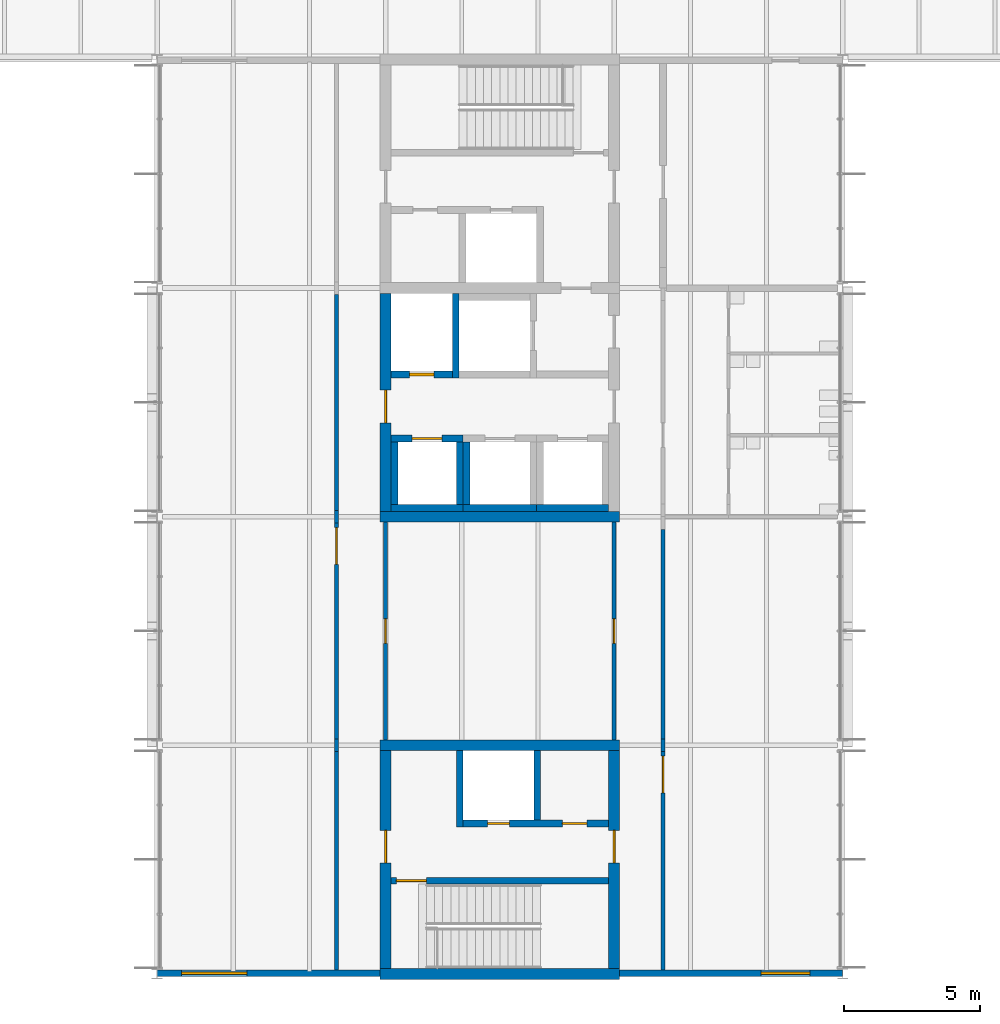
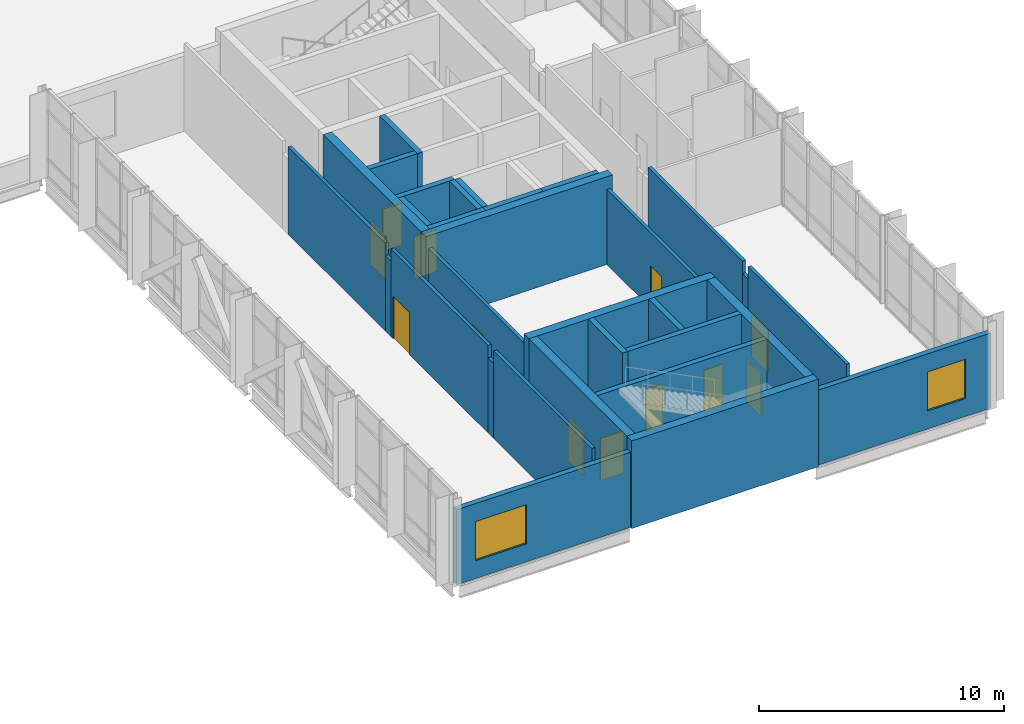
# One storey, part 16 of 26: 31 walls, 12 doors, 2 windows, 14 openings.
"""IFC4 building model written with IfcOpenShell, lengths in metres."""

from ifc_helpers import new_model, si_unit, direction, frame, frame_2d, origin, place, context, subcontext, project, spatial, rectangle, extrude, material, layer, layer_set, type_object, element, fill, save


model = new_model("IFC4")

# Units and contexts
model_context = context("Model", 3, precision=1e-05, world=origin(), true_north=direction((0.0, 1.0)))
body_context = subcontext(model_context, "Body", "Model", "MODEL_VIEW")
ifc_project = project(units=[si_unit("LENGTHUNIT", "METRE"), si_unit("AREAUNIT", "SQUARE_METRE"), si_unit("VOLUMEUNIT", "CUBIC_METRE"), si_unit("PLANEANGLEUNIT", "RADIAN"), si_unit("MASSUNIT", "GRAM", prefix="KILO")], contexts=[model_context])

# Site, building, storey
site_placement = place(None, origin())
site = spatial("IfcSite", under=ifc_project, at=site_placement, CompositionType="ELEMENT")
building_placement = place(site_placement, origin())
building = spatial("IfcBuilding", under=site, at=building_placement, Name="Hlaing Beacon Police Headquarters", CompositionType="ELEMENT")
storey_placement = place(building_placement, frame((0.0, 0.0, 23.39990234375)))
storey = spatial("IfcBuildingStorey", under=building, at=storey_placement, Name="L05", CompositionType="ELEMENT", Elevation=23.39990234375)

# Wall
ifc_material_1 = material(Name="Concrete C60/75", Category="concrete")
ifc_layer_1 = layer(ifc_material_1, 0.39990234375)
ifc_layer_set_1 = layer_set([ifc_layer_1], Name="Concrete C60/75")
wall_type_1 = type_object("IfcWallType", Name="Core shear wall 400", PredefinedType="SHEAR", material=ifc_layer_set_1)
wall_1_placement = place(storey_placement, frame((109.0, 50.39990234375, 0.0), z_axis=(0.0, 0.0, 1.0), x_axis=(1.0, 0.0, 0.0)))
element("IfcWall", 1, at=wall_1_placement, inside=storey, type_object=wall_type_1, Name="Core shear wall", PredefinedType="SHEAR", context=body_context, shape_type="SweptSolid", body=[
    extrude(rectangle(XDim=8.800048828125, YDim=0.39990234375, at=frame_2d((4.39990234375, 0.0))), origin(), (0.0, 0.0, 1.0), 4.3701171875),
])

# Wall, opening, door
wall_2_placement = place(storey_placement, frame((109.199951171875, 50.60009765625, 0.0), z_axis=(0.0, 0.0, 1.0), x_axis=(0.0, 1.0, 0.0)))
wall_2 = element("IfcWall", 2, at=wall_2_placement, inside=storey, type_object=wall_type_1, Name="Core shear wall", PredefinedType="SHEAR", context=body_context, shape_type="SweptSolid", body=[
    extrude(rectangle(XDim=8.0, YDim=0.39990234375, at=frame_2d((4.0, 0.0))), origin(), (0.0, 0.0, 1.0), 4.3701171875),
])
opening_1_placement = place(wall_2_placement, frame((3.25, 0.0, 0.0)))
opening_1 = element("IfcOpeningElement", 3, at=opening_1_placement, cuts=wall_2, Name="Opening L05-901", PredefinedType="OPENING", context=body_context, shape_type="SweptSolid", body=[
    extrude(rectangle(XDim=1.199951171875, YDim=2.10009765625, at=frame_2d((0.60009765625, 1.050048828125))), frame((0.0, 0.2099609375, 0.0), z_axis=(0.0, -1.0, 0.0), x_axis=(1.0, 0.0, 0.0)), (0.0, 0.0, 1.0), 0.419921875),
])
ifc_material_2 = material(Name="Steel fire door leaf", Category="steel")
ifc_layer_2 = layer(ifc_material_2, 0.070068359375)
ifc_layer_set_2 = layer_set([ifc_layer_2], Name="Steel fire door leaf")
door_type_1 = type_object("IfcDoorType", Name="Steel fire door FD60S 1200x2100", OperationType="SINGLE_SWING_LEFT", PredefinedType="DOOR", material=ifc_layer_set_2)
door_1_placement = place(opening_1_placement, frame((1.199951171875, 0.0, 0.0), z_axis=(0.0, 0.0, 1.0), x_axis=(-1.0, 0.0, 0.0)))
door_1 = element("IfcDoor", 4, at=door_1_placement, inside=storey, type_object=door_type_1, Name="Door Lift Lobby Entry", OperationType="SINGLE_SWING_LEFT", OverallHeight=2.10009765625, OverallWidth=1.199951171875, PredefinedType="DOOR", context=body_context, shape_type="SweptSolid", body=[
    extrude(rectangle(XDim=1.199951171875, YDim=2.10009765625, at=frame_2d((0.599853515625, 1.050048828125))), frame((0.0, 0.034912109375, 0.0), z_axis=(0.0, -1.0, 0.0), x_axis=(1.0, 0.0, 0.0)), (0.0, 0.0, 1.0), 0.070068359375),
])
fill(opening_1, door_1)

# Walls
for number, where, z_axis, x_axis, name in (
    (5, (109.0, 33.60009765625, 0.0), (0.0, 0.0, 1.0), (1.0, 0.0, 0.0), "Core shear wall"),
    (6, (109.0, 42.0, 0.0), (0.0, 0.0, 1.0), (1.0, 0.0, 0.0), "Core shear wall"),
):
    element("IfcWall", number, at=place(storey_placement, frame(where, z_axis=z_axis, x_axis=x_axis)), inside=storey, type_object=wall_type_1, Name=name, PredefinedType="SHEAR", context=body_context, shape_type="SweptSolid", body=[
        extrude(rectangle(XDim=8.800048828125, YDim=0.39990234375, at=frame_2d((4.39990234375, 0.0))), origin(), (0.0, 0.0, 1.0), 4.3701171875),
    ])

# Wall, opening, door
wall_3_placement = place(storey_placement, frame((109.199951171875, 33.800048828125, 0.0), z_axis=(0.0, 0.0, 1.0), x_axis=(0.0, 1.0, 0.0)))
wall_3 = element("IfcWall", 7, at=wall_3_placement, inside=storey, type_object=wall_type_1, Name="Core shear wall", PredefinedType="SHEAR", context=body_context, shape_type="SweptSolid", body=[
    extrude(rectangle(XDim=8.0, YDim=0.39990234375, at=frame_2d((4.0, 0.0))), origin(), (0.0, 0.0, 1.0), 4.3701171875),
])
opening_2_placement = place(wall_3_placement, frame((3.875, 0.0, 0.0)))
opening_2 = element("IfcOpeningElement", 8, at=opening_2_placement, cuts=wall_3, Name="Opening L05-912", PredefinedType="OPENING", context=body_context, shape_type="SweptSolid", body=[
    extrude(rectangle(XDim=1.199951171875, YDim=2.10009765625, at=frame_2d((0.60009765625, 1.050048828125))), frame((0.0, 0.2099609375, 0.0), z_axis=(0.0, -1.0, 0.0), x_axis=(1.0, 0.0, 0.0)), (0.0, 0.0, 1.0), 0.419921875),
])
door_2_placement = place(opening_2_placement, frame((1.199951171875, 0.0, 0.0), z_axis=(0.0, 0.0, 1.0), x_axis=(-1.0, 0.0, 0.0)))
door_2 = element("IfcDoor", 9, at=door_2_placement, inside=storey, type_object=door_type_1, Name="Door Stair Lobby ST-L Entry", OperationType="SINGLE_SWING_RIGHT", OverallHeight=2.10009765625, OverallWidth=1.199951171875, PredefinedType="DOOR", context=body_context, shape_type="SweptSolid", body=[
    extrude(rectangle(XDim=1.199951171875, YDim=2.10009765625, at=frame_2d((0.599853515625, 1.050048828125))), frame((0.0, 0.034912109375, 0.0), z_axis=(0.0, -1.0, 0.0), x_axis=(1.0, 0.0, 0.0)), (0.0, 0.0, 1.0), 0.070068359375),
])
fill(opening_2, door_2)

wall_4_placement = place(storey_placement, frame((117.60009765625, 33.800048828125, 0.0), z_axis=(0.0, 0.0, 1.0), x_axis=(0.0, 1.0, 0.0)))
wall_4 = element("IfcWall", 10, at=wall_4_placement, inside=storey, type_object=wall_type_1, Name="Core shear wall", PredefinedType="SHEAR", context=body_context, shape_type="SweptSolid", body=[
    extrude(rectangle(XDim=8.0, YDim=0.39990234375, at=frame_2d((4.0, 0.0))), origin(), (0.0, 0.0, 1.0), 4.3701171875),
])
opening_3_placement = place(wall_4_placement, frame((3.875, 0.0, 0.0)))
opening_3 = element("IfcOpeningElement", 11, at=opening_3_placement, cuts=wall_4, Name="Opening L05-913", PredefinedType="OPENING", context=body_context, shape_type="SweptSolid", body=[
    extrude(rectangle(XDim=1.199951171875, YDim=2.10009765625, at=frame_2d((0.60009765625, 1.050048828125))), frame((0.0, 0.2099609375, 0.0), z_axis=(0.0, -1.0, 0.0), x_axis=(1.0, 0.0, 0.0)), (0.0, 0.0, 1.0), 0.419921875),
])
door_3_placement = place(opening_3_placement, origin())
door_3 = element("IfcDoor", 12, at=door_3_placement, inside=storey, type_object=door_type_1, Name="Door Stair Lobby ST-L Entry", OperationType="SINGLE_SWING_LEFT", OverallHeight=2.10009765625, OverallWidth=1.199951171875, PredefinedType="DOOR", context=body_context, shape_type="SweptSolid", body=[
    extrude(rectangle(XDim=1.199951171875, YDim=2.10009765625, at=frame_2d((0.60009765625, 1.050048828125))), frame((0.0, 0.03515625, 0.0), z_axis=(0.0, -1.0, 0.0), x_axis=(1.0, 0.0, 0.0)), (0.0, 0.0, 1.0), 0.070068359375),
])
fill(opening_3, door_3)

ifc_material_3 = material(Name="Gypsum board partition")
ifc_layer_3 = layer(ifc_material_3, 0.14990234375)
ifc_layer_set_3 = layer_set([ifc_layer_3], Name="Gypsum board partition")
wall_type_2 = type_object("IfcWallType", Name="Corridor wall EI 30 150", PredefinedType="PARTITIONING", material=ifc_layer_set_3)
wall_5_placement = place(storey_placement, frame((119.39990234375, 33.75, 0.0), z_axis=(0.0, 0.0, 1.0), x_axis=(0.0, 1.0, 0.0)))
wall_5 = element("IfcWall", 13, at=wall_5_placement, inside=storey, type_object=wall_type_2, Name="Corridor wall EI 30 150", PredefinedType="PARTITIONING", context=body_context, shape_type="SweptSolid", body=[
    extrude(rectangle(XDim=8.02001953125, YDim=0.14990234375, at=frame_2d((4.010009765625, 0.0))), origin(), (0.0, 0.0, 1.0), 4.3701171875),
])
opening_4_placement = place(wall_5_placement, frame((6.5, 0.0, 0.0)))
opening_4 = element("IfcOpeningElement", 14, at=opening_4_placement, cuts=wall_5, Name="Opening L05-001", PredefinedType="OPENING", context=body_context, shape_type="SweptSolid", body=[
    extrude(rectangle(XDim=1.35009765625, YDim=2.10009765625, at=frame_2d((0.675048828125, 1.050048828125))), frame((0.0, 0.0849609375, 0.0), z_axis=(0.0, -1.0, 0.0), x_axis=(1.0, 0.0, 0.0)), (0.0, 0.0, 1.0), 0.169921875),
])
ifc_material_4 = material(Name="Hardwood door leaf", Category="wood")
ifc_layer_4 = layer(ifc_material_4, 0.050048828125)
ifc_layer_set_4 = layer_set([ifc_layer_4], Name="Hardwood door leaf")
door_type_2 = type_object("IfcDoorType", Name="Fire leaf-and-a-half door FD30S 1350x2100", OperationType="DOUBLE_DOOR_SINGLE_SWING", PredefinedType="DOOR", material=ifc_layer_set_4)
door_4_placement = place(opening_4_placement, frame((1.35009765625, 0.0, 0.0), z_axis=(0.0, 0.0, 1.0), x_axis=(-1.0, 0.0, 0.0)))
door_4 = element("IfcDoor", 15, at=door_4_placement, inside=storey, type_object=door_type_2, Name="Door Cybercrime Unit Office", OperationType="DOUBLE_DOOR_SINGLE_SWING", OverallHeight=2.10009765625, OverallWidth=1.35009765625, PredefinedType="DOOR", context=body_context, shape_type="SweptSolid", body=[
    extrude(rectangle(XDim=1.35009765625, YDim=2.10009765625, at=frame_2d((0.675048828125, 1.050048828125))), frame((0.0, 0.025146484375, 0.0), z_axis=(0.0, -1.0, 0.0), x_axis=(1.0, 0.0, 0.0)), (0.0, 0.0, 1.0), 0.050048828125),
])
fill(opening_4, door_4)

# Walls
wall_6_placement = place(storey_placement, frame((119.39990234375, 41.77001953125, 0.0), z_axis=(0.0, 0.0, 1.0), x_axis=(0.0, 1.0, 0.0)))
element("IfcWall", 16, at=wall_6_placement, inside=storey, type_object=wall_type_2, Name="Corridor wall EI 30 150", PredefinedType="PARTITIONING", context=body_context, shape_type="SweptSolid", body=[
    extrude(rectangle(XDim=0.4599609375, YDim=0.14990234375, at=frame_2d((0.22998046875, 0.0))), origin(), (0.0, 0.0, 1.0), 3.74609375),
])
wall_7_placement = place(storey_placement, frame((119.39990234375, 42.22998046875, 0.0), z_axis=(0.0, 0.0, 1.0), x_axis=(0.0, 1.0, 0.0)))
element("IfcWall", 17, at=wall_7_placement, inside=storey, type_object=wall_type_2, Name="Corridor wall EI 30 150", PredefinedType="PARTITIONING", context=body_context, shape_type="SweptSolid", body=[
    extrude(rectangle(XDim=7.7099609375, YDim=0.14990234375, at=frame_2d((3.85498046875, 0.0))), origin(), (0.0, 0.0, 1.0), 4.3701171875),
])

# Wall, opening, door
wall_8_placement = place(storey_placement, frame((117.60009765625, 42.199951171875, 0.0), z_axis=(0.0, 0.0, 1.0), x_axis=(0.0, 1.0, 0.0)))
wall_8 = element("IfcWall", 18, at=wall_8_placement, inside=storey, type_object=wall_type_2, Name="Corridor wall EI 30 150", PredefinedType="PARTITIONING", context=body_context, shape_type="SweptSolid", body=[
    extrude(rectangle(XDim=8.0, YDim=0.14990234375, at=frame_2d((4.0, 0.0))), origin(), (0.0, 0.0, 1.0), 3.74609375),
])
opening_5_placement = place(wall_8_placement, frame((3.550048828125, 0.0, 0.0)))
opening_5 = element("IfcOpeningElement", 19, at=opening_5_placement, cuts=wall_8, Name="Opening L05-007", PredefinedType="OPENING", context=body_context, shape_type="SweptSolid", body=[
    extrude(rectangle(XDim=0.89990234375, YDim=2.10009765625, at=frame_2d((0.449951171875, 1.050048828125))), frame((0.0, 0.0849609375, 0.0), z_axis=(0.0, -1.0, 0.0), x_axis=(1.0, 0.0, 0.0)), (0.0, 0.0, 1.0), 0.169921875),
])
ifc_material_5 = material(Name="Hardwood door leaf", Category="wood")
ifc_layer_5 = layer(ifc_material_5, 0.050048828125)
ifc_layer_set_5 = layer_set([ifc_layer_5], Name="Hardwood door leaf")
door_type_3 = type_object("IfcDoorType", Name="Fire door FD30S 900x2100", OperationType="SINGLE_SWING_LEFT", PredefinedType="DOOR", material=ifc_layer_set_5)
door_5_placement = place(opening_5_placement, origin())
door_5 = element("IfcDoor", 20, at=door_5_placement, inside=storey, type_object=door_type_3, Name="Door Evidence Review Room", OperationType="SINGLE_SWING_LEFT", OverallHeight=2.10009765625, OverallWidth=0.89990234375, PredefinedType="DOOR", context=body_context, shape_type="SweptSolid", body=[
    extrude(rectangle(XDim=0.89990234375, YDim=2.10009765625, at=frame_2d((0.449951171875, 1.050048828125))), frame((0.0, 0.02490234375, 0.0), z_axis=(0.0, -1.0, 0.0), x_axis=(1.0, 0.0, 0.0)), (0.0, 0.0, 1.0), 0.050048828125),
])
fill(opening_5, door_5)

wall_9_placement = place(storey_placement, frame((109.199951171875, 42.199951171875, 0.0), z_axis=(0.0, 0.0, 1.0), x_axis=(0.0, 1.0, 0.0)))
wall_9 = element("IfcWall", 21, at=wall_9_placement, inside=storey, type_object=wall_type_2, Name="Corridor wall EI 30 150", PredefinedType="PARTITIONING", context=body_context, shape_type="SweptSolid", body=[
    extrude(rectangle(XDim=8.0, YDim=0.14990234375, at=frame_2d((4.0, 0.0))), origin(), (0.0, 0.0, 1.0), 3.74609375),
])
opening_6_placement = place(wall_9_placement, frame((3.550048828125, 0.0, 0.0)))
opening_6 = element("IfcOpeningElement", 22, at=opening_6_placement, cuts=wall_9, Name="Opening L05-008", PredefinedType="OPENING", context=body_context, shape_type="SweptSolid", body=[
    extrude(rectangle(XDim=0.89990234375, YDim=2.10009765625, at=frame_2d((0.449951171875, 1.050048828125))), frame((0.0, 0.0849609375, 0.0), z_axis=(0.0, -1.0, 0.0), x_axis=(1.0, 0.0, 0.0)), (0.0, 0.0, 1.0), 0.169921875),
])
door_6_placement = place(opening_6_placement, frame((0.89990234375, 0.0, 0.0), z_axis=(0.0, 0.0, 1.0), x_axis=(-1.0, 0.0, 0.0)))
door_6 = element("IfcDoor", 23, at=door_6_placement, inside=storey, type_object=door_type_3, Name="Door Evidence Review Room", OperationType="SINGLE_SWING_RIGHT", OverallHeight=2.10009765625, OverallWidth=0.89990234375, PredefinedType="DOOR", context=body_context, shape_type="SweptSolid", body=[
    extrude(rectangle(XDim=0.89990234375, YDim=2.10009765625, at=frame_2d((0.449951171875, 1.050048828125))), frame((0.0, 0.025146484375, 0.0), z_axis=(0.0, -1.0, 0.0), x_axis=(1.0, 0.0, 0.0)), (0.0, 0.0, 1.0), 0.050048828125),
])
fill(opening_6, door_6)

# Walls
wall_10_placement = place(storey_placement, frame((107.39990234375, 33.75, 0.0), z_axis=(0.0, 0.0, 1.0), x_axis=(0.0, 1.0, 0.0)))
element("IfcWall", 24, at=wall_10_placement, inside=storey, type_object=wall_type_2, Name="Corridor wall EI 30 150", PredefinedType="PARTITIONING", context=body_context, shape_type="SweptSolid", body=[
    extrude(rectangle(XDim=8.02001953125, YDim=0.14990234375, at=frame_2d((4.010009765625, 0.0))), origin(), (0.0, 0.0, 1.0), 4.3701171875),
])
wall_11_placement = place(storey_placement, frame((107.39990234375, 41.77001953125, 0.0), z_axis=(0.0, 0.0, 1.0), x_axis=(0.0, 1.0, 0.0)))
element("IfcWall", 25, at=wall_11_placement, inside=storey, type_object=wall_type_2, Name="Corridor wall EI 30 150", PredefinedType="PARTITIONING", context=body_context, shape_type="SweptSolid", body=[
    extrude(rectangle(XDim=0.4599609375, YDim=0.14990234375, at=frame_2d((0.22998046875, 0.0))), origin(), (0.0, 0.0, 1.0), 3.74609375),
])

# Wall, opening, door
wall_12_placement = place(storey_placement, frame((107.39990234375, 42.22998046875, 0.0), z_axis=(0.0, 0.0, 1.0), x_axis=(0.0, 1.0, 0.0)))
wall_12 = element("IfcWall", 26, at=wall_12_placement, inside=storey, type_object=wall_type_2, Name="Corridor wall EI 30 150", PredefinedType="PARTITIONING", context=body_context, shape_type="SweptSolid", body=[
    extrude(rectangle(XDim=7.93994140625, YDim=0.14990234375, at=frame_2d((3.969970703125, 0.0))), origin(), (0.0, 0.0, 1.0), 4.3701171875),
])
opening_7_placement = place(wall_12_placement, frame((6.419921875, 0.0, 0.0)))
opening_7 = element("IfcOpeningElement", 27, at=opening_7_placement, cuts=wall_12, Name="Opening L05-009", PredefinedType="OPENING", context=body_context, shape_type="SweptSolid", body=[
    extrude(rectangle(XDim=1.35009765625, YDim=2.10009765625, at=frame_2d((0.675048828125, 1.050048828125))), frame((0.0, 0.0849609375, 0.0), z_axis=(0.0, -1.0, 0.0), x_axis=(1.0, 0.0, 0.0)), (0.0, 0.0, 1.0), 0.169921875),
])
door_7_placement = place(opening_7_placement, origin())
door_7 = element("IfcDoor", 28, at=door_7_placement, inside=storey, type_object=door_type_2, Name="Door Fraud and Economic Crime Unit Office", OperationType="DOUBLE_DOOR_SINGLE_SWING", OverallHeight=2.10009765625, OverallWidth=1.35009765625, PredefinedType="DOOR", context=body_context, shape_type="SweptSolid", body=[
    extrude(rectangle(XDim=1.35009765625, YDim=2.10009765625, at=frame_2d((0.675048828125, 1.050048828125))), frame((0.0, 0.02490234375, 0.0), z_axis=(0.0, -1.0, 0.0), x_axis=(1.0, 0.0, 0.0)), (0.0, 0.0, 1.0), 0.050048828125),
])
fill(opening_7, door_7)

# Walls
wall_13_placement = place(storey_placement, frame((107.39990234375, 50.169921875, 0.0), z_axis=(0.0, 0.0, 1.0), x_axis=(0.0, 1.0, 0.0)))
element("IfcWall", 29, at=wall_13_placement, inside=storey, type_object=wall_type_2, Name="Corridor wall EI 30 150", PredefinedType="PARTITIONING", context=body_context, shape_type="SweptSolid", body=[
    extrude(rectangle(XDim=0.4599609375, YDim=0.14990234375, at=frame_2d((0.22998046875, 0.0))), origin(), (0.0, 0.0, 1.0), 3.74609375),
])
wall_14_placement = place(storey_placement, frame((107.39990234375, 50.6298828125, 0.0), z_axis=(0.0, 0.0, 1.0), x_axis=(0.0, 1.0, 0.0)))
element("IfcWall", 30, at=wall_14_placement, inside=storey, type_object=wall_type_2, Name="Corridor wall EI 30 150", PredefinedType="PARTITIONING", context=body_context, shape_type="SweptSolid", body=[
    extrude(rectangle(XDim=7.940185546875, YDim=0.14990234375, at=frame_2d((3.97021484375, 0.0))), origin(), (0.0, 0.0, 1.0), 4.3701171875),
])

# Wall, opening, window
ifc_material_6 = material(Name="Concrete C40/50 precast ribbed cladding", Category="concrete")
ifc_layer_6 = layer(ifc_material_6, 0.25)
ifc_layer_set_6 = layer_set([ifc_layer_6], Name="Concrete C40/50 precast ribbed cladding")
wall_type_3 = type_object("IfcWallType", Name="Precast ribbed wall 250", PredefinedType="SOLIDWALL", material=ifc_layer_set_6)
wall_15_placement = place(storey_placement, frame((100.803466796875, 33.625, 0.0), z_axis=(0.0, 0.0, 1.0), x_axis=(1.0, 0.0, 0.0)))
wall_15 = element("IfcWall", 31, at=wall_15_placement, inside=storey, type_object=wall_type_3, Name="External wall L05 S013", PredefinedType="SOLIDWALL", context=body_context, shape_type="SweptSolid", body=[
    extrude(rectangle(XDim=8.196533203125, YDim=0.25, at=frame_2d((4.09814453125, 0.0))), origin(), (0.0, 0.0, 1.0), 3.74609375),
])
opening_8_placement = place(wall_15_placement, frame((0.896484375, 0.0, 0.89990234375)))
opening_8 = element("IfcOpeningElement", 32, at=opening_8_placement, cuts=wall_15, Name="Opening WN36", PredefinedType="OPENING", context=body_context, shape_type="SweptSolid", body=[
    extrude(rectangle(XDim=2.39990234375, YDim=1.949951171875, at=frame_2d((1.199951171875, 0.97509765625))), frame((0.0, 0.135009765625, 0.0), z_axis=(0.0, -1.0, 0.0), x_axis=(1.0, 0.0, 0.0)), (0.0, 0.0, 1.0), 0.27001953125),
])
ifc_material_7 = material(Name="Aluminium frame with solar control glazing", Category="aluminium")
window_type_1 = type_object("IfcWindowType", Name="Window 2400x1950 frame 80", PartitioningType="SINGLE_PANEL", PredefinedType="WINDOW", material=ifc_material_7)
window_1_placement = place(opening_8_placement, origin())
window_1 = element("IfcWindow", 33, at=window_1_placement, inside=storey, type_object=window_type_1, Name="Window L05 WA", OverallHeight=1.949951171875, OverallWidth=2.39990234375, PartitioningType="SINGLE_PANEL", PredefinedType="WINDOW", context=body_context, shape_type="SweptSolid", body=[
    extrude(rectangle(XDim=2.39990234375, YDim=1.949951171875, at=frame_2d((1.199951171875, 0.97509765625))), frame((0.0, 0.0400390625, 0.0), z_axis=(0.0, -1.0, 0.0), x_axis=(1.0, 0.0, 0.0)), (0.0, 0.0, 1.0), 0.080078125),
])
fill(opening_8, window_1)

wall_16_placement = place(storey_placement, frame((117.800048828125, 33.625, 0.0), z_axis=(0.0, 0.0, 1.0), x_axis=(1.0, 0.0, 0.0)))
wall_16 = element("IfcWall", 34, at=wall_16_placement, inside=storey, type_object=wall_type_3, Name="External wall L05 S014", PredefinedType="SOLIDWALL", context=body_context, shape_type="SweptSolid", body=[
    extrude(rectangle(XDim=8.19873046875, YDim=0.25, at=frame_2d((4.099365234375, 0.0))), origin(), (0.0, 0.0, 1.0), 3.74609375),
])
opening_9_placement = place(wall_16_placement, frame((5.199951171875, 0.0, 0.89990234375)))
opening_9 = element("IfcOpeningElement", 35, at=opening_9_placement, cuts=wall_16, Name="Opening WN37", PredefinedType="OPENING", context=body_context, shape_type="SweptSolid", body=[
    extrude(rectangle(XDim=1.800048828125, YDim=1.949951171875, at=frame_2d((0.89990234375, 0.97509765625))), frame((0.0, 0.135009765625, 0.0), z_axis=(0.0, -1.0, 0.0), x_axis=(1.0, 0.0, 0.0)), (0.0, 0.0, 1.0), 0.27001953125),
])
ifc_material_8 = material(Name="Aluminium frame with solar control glazing", Category="aluminium")
window_type_2 = type_object("IfcWindowType", Name="Wide window 1800x1950 frame 80", PartitioningType="SINGLE_PANEL", PredefinedType="WINDOW", material=ifc_material_8)
window_2_placement = place(opening_9_placement, origin())
window_2 = element("IfcWindow", 36, at=window_2_placement, inside=storey, type_object=window_type_2, Name="Window L05 WM", OverallHeight=1.949951171875, OverallWidth=1.800048828125, PartitioningType="SINGLE_PANEL", PredefinedType="WINDOW", context=body_context, shape_type="SweptSolid", body=[
    extrude(rectangle(XDim=1.800048828125, YDim=1.949951171875, at=frame_2d((0.89990234375, 0.97509765625))), frame((0.0, 0.0400390625, 0.0), z_axis=(0.0, -1.0, 0.0), x_axis=(1.0, 0.0, 0.0)), (0.0, 0.0, 1.0), 0.080078125),
])
fill(opening_9, window_2)

# Wall, opening, door
ifc_material_9 = material(Name="Concrete C40/50", Category="concrete")
ifc_layer_7 = layer(ifc_material_9, 0.25)
ifc_layer_set_7 = layer_set([ifc_layer_7], Name="Concrete C40/50")
wall_type_4 = type_object("IfcWallType", Name="Shaft wall 250", PredefinedType="SOLIDWALL", material=ifc_layer_set_7)
wall_17_placement = place(storey_placement, frame((109.39990234375, 55.625, 0.0), z_axis=(0.0, 0.0, 1.0), x_axis=(1.0, 0.0, 0.0)))
wall_17 = element("IfcWall", 37, at=wall_17_placement, inside=storey, type_object=wall_type_4, Name="Lobby wall", PredefinedType="SOLIDWALL", context=body_context, shape_type="SweptSolid", body=[
    extrude(rectangle(XDim=2.25, YDim=0.25, at=frame_2d((1.125, 0.0))), origin(), (0.0, 0.0, 1.0), 4.3701171875),
])
opening_10_placement = place(wall_17_placement, frame((0.675048828125, 0.0, 0.0)))
opening_10 = element("IfcOpeningElement", 38, at=opening_10_placement, cuts=wall_17, Name="Opening L05-905", PredefinedType="OPENING", context=body_context, shape_type="SweptSolid", body=[
    extrude(rectangle(XDim=0.89990234375, YDim=2.10009765625, at=frame_2d((0.449951171875, 1.050048828125))), frame((0.0, 0.135009765625, 0.0), z_axis=(0.0, -1.0, 0.0), x_axis=(1.0, 0.0, 0.0)), (0.0, 0.0, 1.0), 0.27001953125),
])
ifc_material_10 = material(Name="Steel fire door leaf", Category="steel")
ifc_layer_8 = layer(ifc_material_10, 0.10009765625)
ifc_layer_set_8 = layer_set([ifc_layer_8], Name="Steel fire door leaf")
door_type_4 = type_object("IfcDoorType", Name="Steel fire door FD120 900x2100", OperationType="SINGLE_SWING_LEFT", PredefinedType="DOOR", material=ifc_layer_set_8)
door_8_placement = place(opening_10_placement, origin())
door_8 = element("IfcDoor", 39, at=door_8_placement, inside=storey, type_object=door_type_4, Name="Door Electrical Riser Room", OperationType="SINGLE_SWING_LEFT", OverallHeight=2.10009765625, OverallWidth=0.89990234375, PredefinedType="DOOR", context=body_context, shape_type="SweptSolid", body=[
    extrude(rectangle(XDim=0.89990234375, YDim=2.10009765625, at=frame_2d((0.449951171875, 1.050048828125))), frame((0.0, 0.050048828125, 0.0), z_axis=(0.0, -1.0, 0.0), x_axis=(1.0, 0.0, 0.0)), (0.0, 0.0, 1.0), 0.10009765625),
])
fill(opening_10, door_8)

wall_18_placement = place(storey_placement, frame((109.39990234375, 37.02490234375, 0.0), z_axis=(0.0, 0.0, 1.0), x_axis=(1.0, 0.0, 0.0)))
wall_18 = element("IfcWall", 40, at=wall_18_placement, inside=storey, type_object=wall_type_4, Name="Stair enclosure wall", PredefinedType="SOLIDWALL", context=body_context, shape_type="SweptSolid", body=[
    extrude(rectangle(XDim=8.0, YDim=0.25, at=frame_2d((4.0, 0.0))), origin(), (0.0, 0.0, 1.0), 4.3701171875),
])
opening_11_placement = place(wall_18_placement, frame((0.199951171875, 0.0, 0.0)))
opening_11 = element("IfcOpeningElement", 41, at=opening_11_placement, cuts=wall_18, Name="Opening L05-915", PredefinedType="OPENING", context=body_context, shape_type="SweptSolid", body=[
    extrude(rectangle(XDim=1.10009765625, YDim=2.10009765625, at=frame_2d((0.550048828125, 1.050048828125))), frame((0.0, 0.135009765625, 0.0), z_axis=(0.0, -1.0, 0.0), x_axis=(1.0, 0.0, 0.0)), (0.0, 0.0, 1.0), 0.27001953125),
])
ifc_material_11 = material(Name="Steel fire door leaf", Category="steel")
ifc_layer_9 = layer(ifc_material_11, 0.070068359375)
ifc_layer_set_9 = layer_set([ifc_layer_9], Name="Steel fire door leaf")
door_type_5 = type_object("IfcDoorType", Name="Steel fire door FD60 1100x2100", OperationType="SINGLE_SWING_LEFT", PredefinedType="DOOR", material=ifc_layer_set_9)
door_9_placement = place(opening_11_placement, frame((1.10009765625, 0.0, 0.0), z_axis=(0.0, 0.0, 1.0), x_axis=(-1.0, 0.0, 0.0)))
door_9 = element("IfcDoor", 42, at=door_9_placement, inside=storey, type_object=door_type_5, Name="Door Stair ST-L", OperationType="SINGLE_SWING_LEFT", OverallHeight=2.10009765625, OverallWidth=1.10009765625, PredefinedType="DOOR", context=body_context, shape_type="SweptSolid", body=[
    extrude(rectangle(XDim=1.10009765625, YDim=2.10009765625, at=frame_2d((0.550048828125, 1.050048828125))), frame((0.0, 0.034912109375, 0.0), z_axis=(0.0, -1.0, 0.0), x_axis=(1.0, 0.0, 0.0)), (0.0, 0.0, 1.0), 0.070068359375),
])
fill(opening_11, door_9)

# Wall
wall_19_placement = place(storey_placement, frame((111.925048828125, 39.0, 0.0), z_axis=(0.0, 0.0, 1.0), x_axis=(0.0, 1.0, 0.0)))
element("IfcWall", 43, at=wall_19_placement, inside=storey, type_object=wall_type_4, Name="Lobby wall", PredefinedType="SOLIDWALL", context=body_context, shape_type="SweptSolid", body=[
    extrude(rectangle(XDim=2.800048828125, YDim=0.25, at=frame_2d((1.39990234375, 0.0))), origin(), (0.0, 0.0, 1.0), 4.3701171875),
])

# Wall, openings, doors
wall_20_placement = place(storey_placement, frame((112.050048828125, 39.125, 0.0), z_axis=(0.0, 0.0, 1.0), x_axis=(1.0, 0.0, 0.0)))
wall_20 = element("IfcWall", 44, at=wall_20_placement, inside=storey, type_object=wall_type_4, Name="Lobby wall", PredefinedType="SOLIDWALL", context=body_context, shape_type="SweptSolid", body=[
    extrude(rectangle(XDim=5.349853515625, YDim=0.25, at=frame_2d((2.6748046875, 0.0))), origin(), (0.0, 0.0, 1.0), 4.3701171875),
])
opening_12_placement = place(wall_20_placement, frame((3.64990234375, 0.0, 0.0)))
opening_12 = element("IfcOpeningElement", 45, at=opening_12_placement, cuts=wall_20, Name="Opening L05-911", PredefinedType="OPENING", context=body_context, shape_type="SweptSolid", body=[
    extrude(rectangle(XDim=0.89990234375, YDim=2.10009765625, at=frame_2d((0.449951171875, 1.050048828125))), frame((0.0, 0.135009765625, 0.0), z_axis=(0.0, -1.0, 0.0), x_axis=(1.0, 0.0, 0.0)), (0.0, 0.0, 1.0), 0.27001953125),
])
opening_13_placement = place(wall_20_placement, frame((0.89990234375, 0.0, 0.0)))
opening_13 = element("IfcOpeningElement", 46, at=opening_13_placement, cuts=wall_20, Name="Opening L05-914", PredefinedType="OPENING", context=body_context, shape_type="SweptSolid", body=[
    extrude(rectangle(XDim=0.800048828125, YDim=2.10009765625, at=frame_2d((0.39990234375, 1.050048828125))), frame((0.0, 0.135009765625, 0.0), z_axis=(0.0, -1.0, 0.0), x_axis=(1.0, 0.0, 0.0)), (0.0, 0.0, 1.0), 0.27001953125),
])
ifc_material_12 = material(Name="Steel fire door leaf", Category="steel")
ifc_layer_10 = layer(ifc_material_12, 0.070068359375)
ifc_layer_set_10 = layer_set([ifc_layer_10], Name="Steel fire door leaf")
door_type_6 = type_object("IfcDoorType", Name="Steel fire door FD60 800x2100", OperationType="SINGLE_SWING_LEFT", PredefinedType="DOOR", material=ifc_layer_set_10)
door_10_placement = place(opening_13_placement, origin())
door_10 = element("IfcDoor", 47, at=door_10_placement, inside=storey, type_object=door_type_6, Name="Door Services Riser", OperationType="SINGLE_SWING_RIGHT", OverallHeight=2.10009765625, OverallWidth=0.800048828125, PredefinedType="DOOR", context=body_context, shape_type="SweptSolid", body=[
    extrude(rectangle(XDim=0.800048828125, YDim=2.10009765625, at=frame_2d((0.39990234375, 1.050048828125))), frame((0.0, 0.03515625, 0.0), z_axis=(0.0, -1.0, 0.0), x_axis=(1.0, 0.0, 0.0)), (0.0, 0.0, 1.0), 0.070068359375),
])
fill(opening_13, door_10)
ifc_material_13 = material(Name="Steel fire door leaf", Category="steel")
ifc_layer_11 = layer(ifc_material_13, 0.070068359375)
ifc_layer_set_11 = layer_set([ifc_layer_11], Name="Steel fire door leaf")
door_type_7 = type_object("IfcDoorType", Name="Steel fire door FD60 900x2100", OperationType="SINGLE_SWING_LEFT", PredefinedType="DOOR", material=ifc_layer_set_11)
door_11_placement = place(opening_12_placement, origin())
door_11 = element("IfcDoor", 48, at=door_11_placement, inside=storey, type_object=door_type_7, Name="Door Cleaners' Store", OperationType="SINGLE_SWING_LEFT", OverallHeight=2.10009765625, OverallWidth=0.89990234375, PredefinedType="DOOR", context=body_context, shape_type="SweptSolid", body=[
    extrude(rectangle(XDim=0.89990234375, YDim=2.10009765625, at=frame_2d((0.449951171875, 1.050048828125))), frame((0.0, 0.03515625, 0.0), z_axis=(0.0, -1.0, 0.0), x_axis=(1.0, 0.0, 0.0)), (0.0, 0.0, 1.0), 0.070068359375),
])
fill(opening_12, door_11)

# Walls
wall_21_placement = place(storey_placement, frame((114.77490234375, 39.25, 0.0), z_axis=(0.0, 0.0, 1.0), x_axis=(0.0, 1.0, 0.0)))
element("IfcWall", 49, at=wall_21_placement, inside=storey, type_object=wall_type_4, Name="Riser wall", PredefinedType="SOLIDWALL", context=body_context, shape_type="SweptSolid", body=[
    extrude(rectangle(XDim=2.550048828125, YDim=0.25, at=frame_2d((1.27490234375, 0.0))), origin(), (0.0, 0.0, 1.0), 4.3701171875),
])
wall_22_placement = place(storey_placement, frame((111.77490234375, 55.5, 0.0), z_axis=(0.0, 0.0, 1.0), x_axis=(0.0, 1.0, 0.0)))
element("IfcWall", 50, at=wall_22_placement, inside=storey, type_object=wall_type_4, Name="Lift shaft wall FL1", PredefinedType="SOLIDWALL", context=body_context, shape_type="SweptSolid", body=[
    extrude(rectangle(XDim=3.10009765625, YDim=0.25, at=frame_2d((1.550048828125, 0.0))), origin(), (0.0, 0.0, 1.0), 4.3701171875),
])
wall_23_placement = place(storey_placement, frame((111.925048828125, 50.85009765625, 0.0), z_axis=(0.0, 0.0, 1.0), x_axis=(0.0, 1.0, 0.0)))
element("IfcWall", 51, at=wall_23_placement, inside=storey, type_object=wall_type_4, Name="Lift shaft wall PL7", PredefinedType="SOLIDWALL", context=body_context, shape_type="SweptSolid", body=[
    extrude(rectangle(XDim=2.2998046875, YDim=0.25, at=frame_2d((1.14990234375, 0.0))), origin(), (0.0, 0.0, 1.0), 4.3701171875),
])

# Wall, opening, door
wall_24_placement = place(storey_placement, frame((109.39990234375, 53.27490234375, 0.0), z_axis=(0.0, 0.0, 1.0), x_axis=(1.0, 0.0, 0.0)))
wall_24 = element("IfcWall", 52, at=wall_24_placement, inside=storey, type_object=wall_type_4, Name="Lift shaft wall PL7", PredefinedType="SOLIDWALL", context=body_context, shape_type="SweptSolid", body=[
    extrude(rectangle(XDim=2.650146484375, YDim=0.25, at=frame_2d((1.3251953125, 0.0))), origin(), (0.0, 0.0, 1.0), 4.3701171875),
])
opening_14_placement = place(wall_24_placement, frame((0.77490234375, 0.0, 0.0)))
opening_14 = element("IfcOpeningElement", 53, at=opening_14_placement, cuts=wall_24, Name="Opening LD-PL7-L05", PredefinedType="OPENING", context=body_context, shape_type="SweptSolid", body=[
    extrude(rectangle(XDim=1.10009765625, YDim=2.10009765625, at=frame_2d((0.550048828125, 1.050048828125))), frame((0.0, 0.135009765625, 0.0), z_axis=(0.0, -1.0, 0.0), x_axis=(1.0, 0.0, 0.0)), (0.0, 0.0, 1.0), 0.27001953125),
])
ifc_material_14 = material(Name="Stainless steel lift landing door", Category="steel")
ifc_layer_12 = layer(ifc_material_14, 0.06005859375)
ifc_layer_set_12 = layer_set([ifc_layer_12], Name="Stainless steel lift landing door")
door_type_8 = type_object("IfcDoorType", Name="Lift landing door 1100x2100", OperationType="DOUBLE_DOOR_SLIDING", PredefinedType="DOOR", material=ifc_layer_set_12)
door_12_placement = place(opening_14_placement, origin())
door_12 = element("IfcDoor", 54, at=door_12_placement, inside=storey, type_object=door_type_8, Name="Landing door PL7 L05", OperationType="DOUBLE_DOOR_SLIDING", OverallHeight=2.10009765625, OverallWidth=1.10009765625, PredefinedType="DOOR", context=body_context, shape_type="SweptSolid", body=[
    extrude(rectangle(XDim=1.10009765625, YDim=2.10009765625, at=frame_2d((0.550048828125, 1.050048828125))), frame((0.0, 0.0400390625, 0.0), z_axis=(0.0, -1.0, 0.0), x_axis=(1.0, 0.0, 0.0)), (0.0, 0.0, 1.0), 0.080078125),
])
fill(opening_14, door_12)

# Walls
wall_25_placement = place(storey_placement, frame((109.39990234375, 50.72509765625, 0.0), z_axis=(0.0, 0.0, 1.0), x_axis=(1.0, 0.0, 0.0)))
element("IfcWall", 55, at=wall_25_placement, inside=storey, type_object=wall_type_4, Name="Lift shaft wall PL7", PredefinedType="SOLIDWALL", context=body_context, shape_type="SweptSolid", body=[
    extrude(rectangle(XDim=2.650146484375, YDim=0.25, at=frame_2d((1.3251953125, 0.0))), origin(), (0.0, 0.0, 1.0), 4.3701171875),
])
wall_26_placement = place(storey_placement, frame((109.52490234375, 50.85009765625, 0.0), z_axis=(0.0, 0.0, 1.0), x_axis=(0.0, 1.0, 0.0)))
element("IfcWall", 56, at=wall_26_placement, inside=storey, type_object=wall_type_4, Name="Lift shaft wall PL7", PredefinedType="SOLIDWALL", context=body_context, shape_type="SweptSolid", body=[
    extrude(rectangle(XDim=2.2998046875, YDim=0.25, at=frame_2d((1.14990234375, 0.0))), origin(), (0.0, 0.0, 1.0), 4.3701171875),
])
wall_27_placement = place(storey_placement, frame((112.050048828125, 50.72509765625, 0.0), z_axis=(0.0, 0.0, 1.0), x_axis=(1.0, 0.0, 0.0)))
element("IfcWall", 57, at=wall_27_placement, inside=storey, type_object=wall_type_4, Name="Lift shaft wall PL8", PredefinedType="SOLIDWALL", context=body_context, shape_type="SweptSolid", body=[
    extrude(rectangle(XDim=2.699951171875, YDim=0.25, at=frame_2d((1.35009765625, 0.0))), origin(), (0.0, 0.0, 1.0), 4.3701171875),
])
wall_28_placement = place(storey_placement, frame((112.175048828125, 50.85009765625, 0.0), z_axis=(0.0, 0.0, 1.0), x_axis=(0.0, 1.0, 0.0)))
element("IfcWall", 58, at=wall_28_placement, inside=storey, type_object=wall_type_4, Name="Lift shaft wall PL8", PredefinedType="SOLIDWALL", context=body_context, shape_type="SweptSolid", body=[
    extrude(rectangle(XDim=2.2998046875, YDim=0.25, at=frame_2d((1.14990234375, 0.0))), origin(), (0.0, 0.0, 1.0), 4.3701171875),
])
wall_29_placement = place(storey_placement, frame((114.75, 50.72509765625, 0.0), z_axis=(0.0, 0.0, 1.0), x_axis=(1.0, 0.0, 0.0)))
element("IfcWall", 59, at=wall_29_placement, inside=storey, type_object=wall_type_4, Name="Lift shaft wall PL9", PredefinedType="SOLIDWALL", context=body_context, shape_type="SweptSolid", body=[
    extrude(rectangle(XDim=2.64990234375, YDim=0.25, at=frame_2d((1.324951171875, 0.0))), origin(), (0.0, 0.0, 1.0), 4.3701171875),
])

save(model, "model.ifc")
